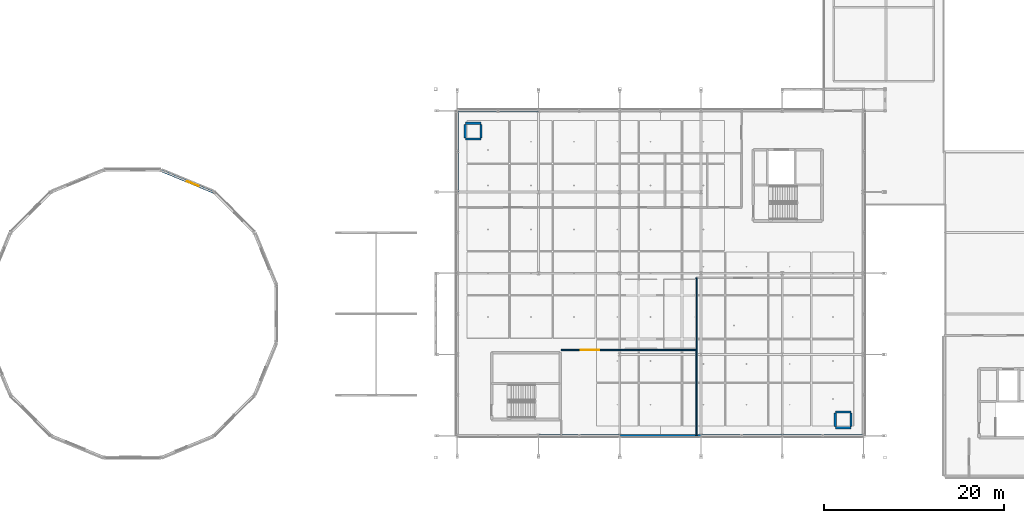
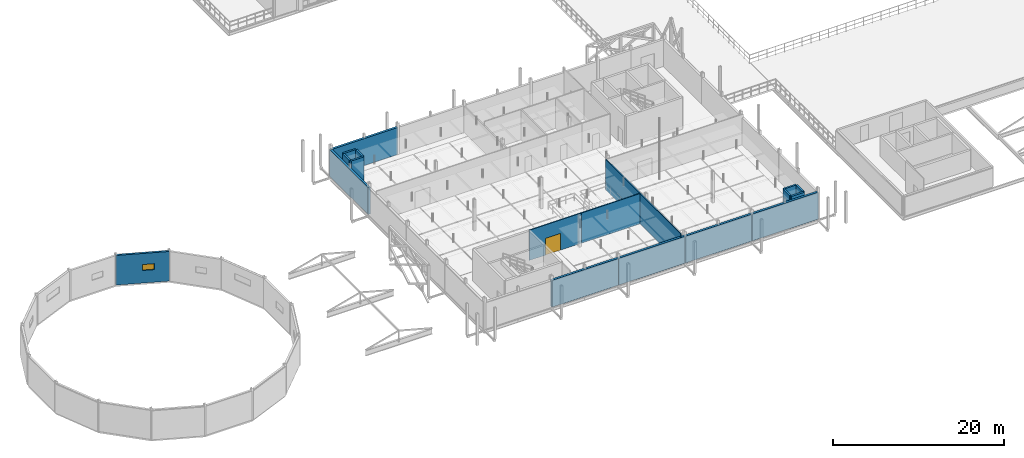
# One storey, part 46 of 89: 18 walls, 1 door, 1 window, 2 openings.
"""IFC4 building model written with IfcOpenShell, lengths in metres."""

from ifc_helpers import new_model, si_unit, direction, frame, frame_2d, origin, place, context, subcontext, project, spatial, rectangle, extrude, material, layer, layer_set, type_object, element, fill, save


model = new_model("IFC4")

# Units and contexts
model_context = context("Model", 3, precision=1e-05, world=origin(), true_north=direction((0.0, 1.0)))
body_context = subcontext(model_context, "Body", "Model", "MODEL_VIEW")
ifc_project = project(units=[si_unit("LENGTHUNIT", "METRE"), si_unit("AREAUNIT", "SQUARE_METRE"), si_unit("VOLUMEUNIT", "CUBIC_METRE"), si_unit("PLANEANGLEUNIT", "RADIAN"), si_unit("MASSUNIT", "GRAM", prefix="KILO"), si_unit("THERMODYNAMICTEMPERATUREUNIT", "KELVIN"), si_unit("POWERUNIT", "WATT")], contexts=[model_context])

# Site, building, storey
site_placement = place(None, origin())
site = spatial("IfcSite", under=ifc_project, at=site_placement, CompositionType="ELEMENT")
building_placement = place(site_placement, origin())
building = spatial("IfcBuilding", under=site, at=building_placement, Name="Tallowbark Science Centre", CompositionType="ELEMENT")
storey_placement = place(building_placement, frame((0.0, 0.0, 14.39990234375)))
storey = spatial("IfcBuildingStorey", under=building, at=storey_placement, Name="L03", CompositionType="ELEMENT", Elevation=14.39990234375)

# Wall, opening, window
ifc_material_1 = material(Name="Insulated Ribbed Precast Concrete Panel Grade N40 (40 MPa)", Category="concrete")
ifc_layer_1 = layer(ifc_material_1, 0.264892578125)
ifc_layer_set_1 = layer_set([ifc_layer_1], Name="Insulated Ribbed Precast Concrete Panel Grade N40 (40 MPa)")
wall_type_1 = type_object("IfcWallType", Name="EWL-PRC-265", PredefinedType="STANDARD", material=ifc_layer_set_1)
wall_1_placement = place(storey_placement, frame((31.500244140625, 31.4697265625, 0.0), z_axis=(0.0, 0.0, 1.0), x_axis=(-0.92387937427, 0.382683814393, 0.0)))
wall_1 = element("IfcWall", 1, at=wall_1_placement, inside=storey, type_object=wall_type_1, Name="Exterior Wall DRM-UP-L03-02", PredefinedType="STANDARD", context=body_context, shape_type="SweptSolid", body=[
    extrude(rectangle(XDim=6.321044921875, YDim=0.264892578125, at=frame_2d((3.16064453125, 0.0))), origin(), (0.0, 0.0, 1.0), 4.22998046875),
])
opening_1_placement = place(wall_1_placement, frame((1.800048828125, 0.0, 1.800048828125)))
opening_1 = element("IfcOpeningElement", 2, at=opening_1_placement, cuts=wall_1, Name="Opening WS-21", PredefinedType="OPENING", context=body_context, shape_type="SweptSolid", body=[
    extrude(rectangle(XDim=1.39990234375, YDim=0.85009765625, at=frame_2d((0.699951171875, 0.425048828125))), frame((0.0, 0.142578125, 0.0), z_axis=(0.0, -1.0, 0.0), x_axis=(1.0, 0.0, 0.0)), (0.0, 0.0, 1.0), 0.284912109375),
])
ifc_material_2 = material(Name="Thermally Broken Aluminium and Low-E Double Glazing", Category="aluminium")
window_type = type_object("IfcWindowType", Name="WIN-SP-140x085", PartitioningType="SINGLE_PANEL", PredefinedType="WINDOW", material=ifc_material_2)
window_placement = place(opening_1_placement, origin())
window = element("IfcWindow", 3, at=window_placement, inside=storey, type_object=window_type, Name="Acoustic Window WSP-21", OverallHeight=0.85009765625, OverallWidth=1.39990234375, PartitioningType="SINGLE_PANEL", PredefinedType="WINDOW", context=body_context, shape_type="SweptSolid", body=[
    extrude(rectangle(XDim=1.39990234375, YDim=0.85009765625, at=frame_2d((0.699951171875, 0.425048828125))), frame((0.0, 0.030029296875, 0.0), z_axis=(0.0, -1.0, 0.0), x_axis=(1.0, 0.0, 0.0)), (0.0, 0.0, 1.0), 0.06005859375),
])
fill(opening_1, window)

# Walls
ifc_material_3 = material(Name="Spotted Gum Acoustic Cassette Wall Assembly", Category="wood")
ifc_layer_2 = layer(ifc_material_3, 0.294921875)
ifc_layer_set_2 = layer_set([ifc_layer_2], Name="Spotted Gum Acoustic Cassette Wall Assembly")
wall_type_2 = type_object("IfcWallType", Name="EWL-TIM-295", PredefinedType="STANDARD", material=ifc_layer_set_2)
for number, where, z_axis, x_axis, name in (
    (4, (67.5, 40.5, 0.0), (0.0, 0.0, 1.0), (-1.0, 0.0, 0.0), "Exterior Wall CUB-N-L03-0"),
    (5, (67.5, 4.5, 0.0), (0.0, 0.0, 1.0), (1.0, 0.0, 0.0), "Exterior Wall CUB-S-L03-1"),
    (6, (76.5, 4.5, 0.0), (0.0, 0.0, 1.0), (1.0, 0.0, 0.0), "Exterior Wall CUB-S-L03-2"),
    (7, (85.5, 4.5, 0.0), (0.0, 0.0, 1.0), (1.0, 0.0, 0.0), "Exterior Wall CUB-S-L03-3"),
    (8, (94.5, 4.5, 0.0), (0.0, 0.0, 1.0), (1.0, 0.0, 0.0), "Exterior Wall CUB-S-L03-4"),
    (9, (58.5, 40.5, 0.0), (0.0, 0.0, 1.0), (0.0, -1.0, 0.0), "Exterior Wall CUB-W-L03-3"),
):
    element("IfcWall", number, at=place(storey_placement, frame(where, z_axis=z_axis, x_axis=x_axis)), inside=storey, type_object=wall_type_2, Name=name, PredefinedType="STANDARD", context=body_context, shape_type="SweptSolid", body=[
        extrude(rectangle(XDim=9.0, YDim=0.294921875, at=frame_2d((4.5, 0.0))), origin(), (0.0, 0.0, 1.0), 3.84619140625),
    ])
ifc_material_4 = material(Name="132 mm Acoustic Laboratory Steel Stud Partition", Category="steel")
ifc_layer_3 = layer(ifc_material_4, 0.132080078125)
ifc_layer_set_3 = layer_set([ifc_layer_3], Name="132 mm Acoustic Laboratory Steel Stud Partition")
wall_type_3 = type_object("IfcWallType", Name="PTW-132", PredefinedType="PARTITIONING", material=ifc_layer_set_3)
wall_2_placement = place(storey_placement, frame((77.0, 14.0, 0.0), z_axis=(0.0, 0.0, 1.0), x_axis=(1.0, 0.0, 0.0)))
element("IfcWall", 10, at=wall_2_placement, inside=storey, type_object=wall_type_3, Name="Interior Partition PTW-L03-0248", PredefinedType="PARTITIONING", context=body_context, shape_type="SweptSolid", body=[
    extrude(rectangle(XDim=8.0, YDim=0.132080078125, at=frame_2d((4.0, 0.0))), origin(), (0.0, 0.0, 1.0), 4.320068359375),
])
wall_3_placement = place(storey_placement, frame((85.0, 4.5, 0.0), z_axis=(0.0, 0.0, 1.0), x_axis=(0.0, 1.0, 0.0)))
element("IfcWall", 11, at=wall_3_placement, inside=storey, type_object=wall_type_3, Name="Interior Partition PTW-L03-0249", PredefinedType="PARTITIONING", context=body_context, shape_type="SweptSolid", body=[
    extrude(rectangle(XDim=17.5, YDim=0.132080078125, at=frame_2d((8.75, 0.0))), origin(), (0.0, 0.0, 1.0), 4.320068359375),
])

# Wall, opening, door
ifc_material_5 = material(Name="125 mm Top-Hung Operable Acoustic Exhibition Partition")
ifc_layer_4 = layer(ifc_material_5, 0.125)
ifc_layer_set_4 = layer_set([ifc_layer_4], Name="125 mm Top-Hung Operable Acoustic Exhibition Partition")
wall_type_4 = type_object("IfcWallType", Name="PTW-MOV-125", PredefinedType="MOVABLE", material=ifc_layer_set_4)
wall_4_placement = place(storey_placement, frame((70.0, 14.0, 0.0), z_axis=(0.0, 0.0, 1.0), x_axis=(1.0, 0.0, 0.0)))
wall_4 = element("IfcWall", 12, at=wall_4_placement, inside=storey, type_object=wall_type_4, Name="Interior Partition PTW-L03-0247", PredefinedType="MOVABLE", context=body_context, shape_type="SweptSolid", body=[
    extrude(rectangle(XDim=7.0, YDim=0.125, at=frame_2d((3.5, 0.0))), origin(), (0.0, 0.0, 1.0), 4.320068359375),
])
opening_2_placement = place(wall_4_placement, frame((2.199951171875, 0.0, 0.0)))
opening_2 = element("IfcOpeningElement", 13, at=opening_2_placement, cuts=wall_4, Name="Opening ID-02", PredefinedType="OPENING", context=body_context, shape_type="SweptSolid", body=[
    extrude(rectangle(XDim=2.0, YDim=2.39990234375, at=frame_2d((1.0, 1.199951171875))), frame((0.0, 0.072509765625, 0.0), z_axis=(0.0, -1.0, 0.0), x_axis=(1.0, 0.0, 0.0)), (0.0, 0.0, 1.0), 0.14501953125),
])
ifc_material_6 = material(Name="Spotted Gum Acoustic Gallery Pair", Category="wood")
door_type = type_object("IfcDoorType", Name="IDR-GAL-200", OperationType="DOUBLE_DOOR_DOUBLE_SWING", PredefinedType="DOOR", material=ifc_material_6)
door_placement = place(opening_2_placement, origin())
door = element("IfcDoor", 14, at=door_placement, inside=storey, type_object=door_type, Name="Interior Door IDR-L03-0107", OperationType="DOUBLE_DOOR_DOUBLE_SWING", OverallHeight=2.39990234375, OverallWidth=2.0, PredefinedType="DOOR", context=body_context, shape_type="SweptSolid", body=[
    extrude(rectangle(XDim=2.0, YDim=2.39990234375, at=frame_2d((1.0, 1.199951171875))), frame((0.0, 0.02490234375, 0.0), z_axis=(0.0, -1.0, 0.0), x_axis=(1.0, 0.0, 0.0)), (0.0, 0.0, 1.0), 0.050048828125),
])
fill(opening_2, door)

# Walls
ifc_material_7 = material(Name="Concrete Grade N40 (40 MPa)", Category="concrete")
ifc_layer_5 = layer(ifc_material_7, 0.25)
ifc_layer_set_5 = layer_set([ifc_layer_5], Name="Concrete Grade N40 (40 MPa)")
wall_type_5 = type_object("IfcWallType", Name="WL-SHAFT-250", PredefinedType="SHEAR", material=ifc_layer_set_5)
for number, where, z_axis, x_axis, name in (
    (15, (59.39990234375, 37.375, 0.0), (0.0, 0.0, 1.0), (1.0, 0.0, 0.0), "Service Riser Shaft Wall RSR-CUB-W L03 S"),
    (16, (59.39990234375, 39.125, 0.0), (0.0, 0.0, 1.0), (1.0, 0.0, 0.0), "Service Riser Shaft Wall RSR-CUB-W L03 N"),
):
    element("IfcWall", number, at=place(storey_placement, frame(where, z_axis=z_axis, x_axis=x_axis)), inside=storey, type_object=wall_type_5, Name=name, PredefinedType="SHEAR", context=body_context, shape_type="SweptSolid", body=[
        extrude(rectangle(XDim=1.7001953125, YDim=0.25, at=frame_2d((0.85009765625, 0.0))), origin(), (0.0, 0.0, 1.0), 3.77001953125),
    ])
for number, where, z_axis, x_axis, name in (
    (17, (59.375, 37.5, 0.0), (0.0, 0.0, 1.0), (0.0, 1.0, 0.0), "Service Riser Shaft Wall RSR-CUB-W L03 W"),
    (18, (61.125, 37.5, 0.0), (0.0, 0.0, 1.0), (0.0, 1.0, 0.0), "Service Riser Shaft Wall RSR-CUB-W L03 E"),
):
    element("IfcWall", number, at=place(storey_placement, frame(where, z_axis=z_axis, x_axis=x_axis)), inside=storey, type_object=wall_type_5, Name=name, PredefinedType="SHEAR", context=body_context, shape_type="SweptSolid", body=[
        extrude(rectangle(XDim=1.5, YDim=0.25, at=frame_2d((0.75, 0.0))), origin(), (0.0, 0.0, 1.0), 3.77001953125),
    ])
for number, where, z_axis, x_axis, name in (
    (19, (100.39990234375, 5.375, 0.0), (0.0, 0.0, 1.0), (1.0, 0.0, 0.0), "Service Riser Shaft Wall RSR-CUB-E L03 S"),
    (20, (100.39990234375, 7.125, 0.0), (0.0, 0.0, 1.0), (1.0, 0.0, 0.0), "Service Riser Shaft Wall RSR-CUB-E L03 N"),
):
    element("IfcWall", number, at=place(storey_placement, frame(where, z_axis=z_axis, x_axis=x_axis)), inside=storey, type_object=wall_type_5, Name=name, PredefinedType="SHEAR", context=body_context, shape_type="SweptSolid", body=[
        extrude(rectangle(XDim=1.7001953125, YDim=0.25, at=frame_2d((0.85009765625, 0.0))), origin(), (0.0, 0.0, 1.0), 3.77001953125),
    ])
for number, where, z_axis, x_axis, name in (
    (21, (100.375, 5.5, 0.0), (0.0, 0.0, 1.0), (0.0, 1.0, 0.0), "Service Riser Shaft Wall RSR-CUB-E L03 W"),
    (22, (102.125, 5.5, 0.0), (0.0, 0.0, 1.0), (0.0, 1.0, 0.0), "Service Riser Shaft Wall RSR-CUB-E L03 E"),
):
    element("IfcWall", number, at=place(storey_placement, frame(where, z_axis=z_axis, x_axis=x_axis)), inside=storey, type_object=wall_type_5, Name=name, PredefinedType="SHEAR", context=body_context, shape_type="SweptSolid", body=[
        extrude(rectangle(XDim=1.5, YDim=0.25, at=frame_2d((0.75, 0.0))), origin(), (0.0, 0.0, 1.0), 3.77001953125),
    ])

save(model, "model.ifc")
